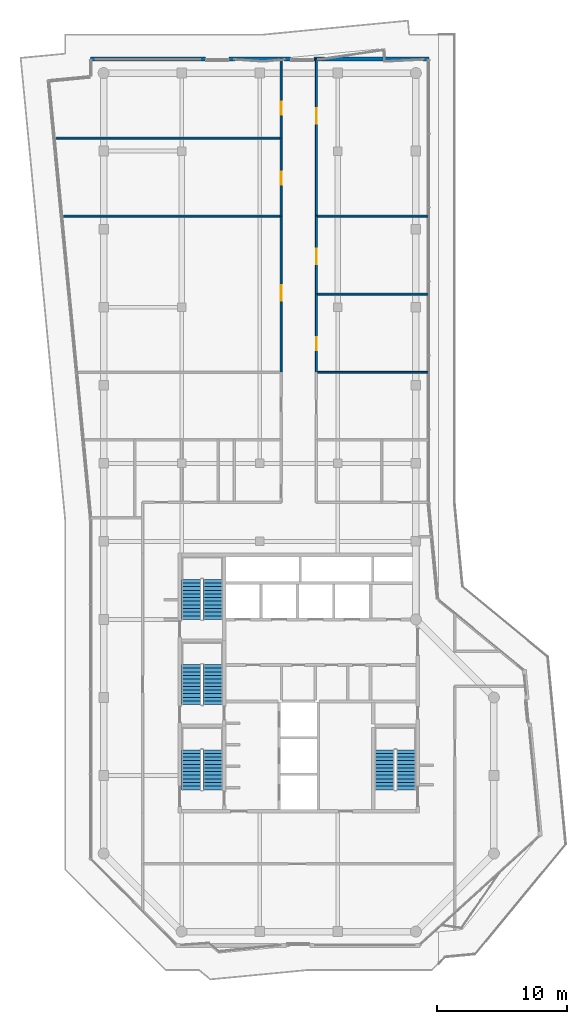
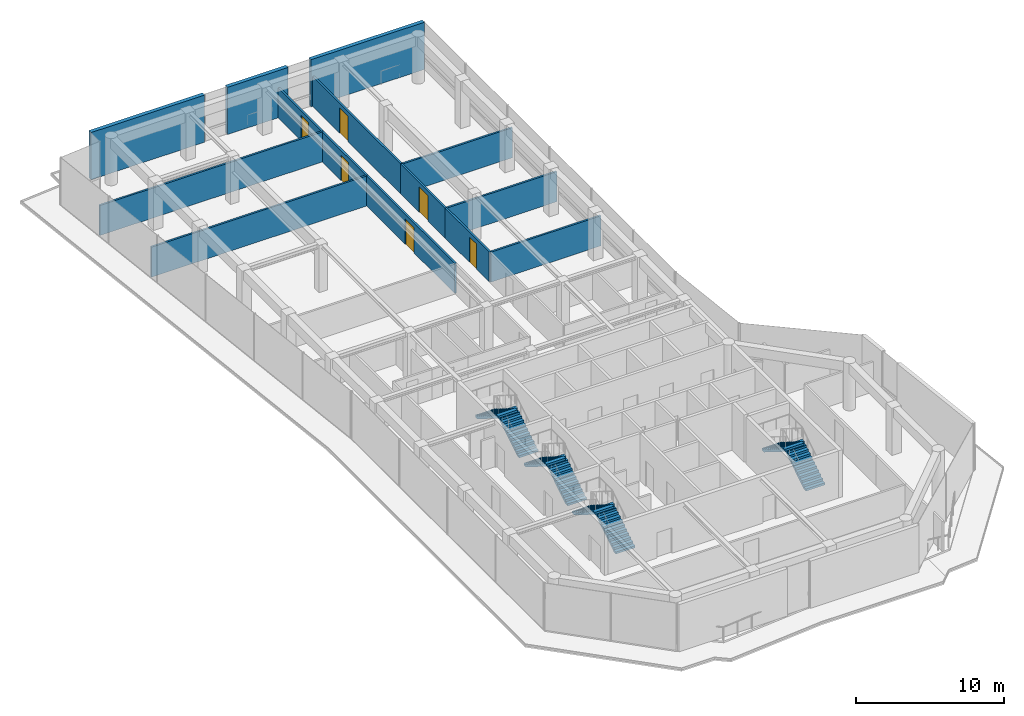
# One storey, part 20 of 22: 14 walls, 8 stair flights, 6 doors, 6 openings, 4 elements without a shape of their own.
"""IFC4 building model written with IfcOpenShell, lengths in metres."""

from ifc_helpers import new_model, si_unit, direction, frame, frame_2d, origin, place, context, subcontext, project, spatial, polyline, rectangle, outline, extrude, material, layer, layer_set, type_object, element, fill, aggregate, save


model = new_model("IFC4")

# Units and contexts
model_context = context("Model", 3, precision=1e-05, world=origin(), true_north=direction((0.0, 1.0)))
body_context = subcontext(model_context, "Body", "Model", "MODEL_VIEW")
ifc_project = project(units=[si_unit("LENGTHUNIT", "METRE"), si_unit("AREAUNIT", "SQUARE_METRE"), si_unit("VOLUMEUNIT", "CUBIC_METRE"), si_unit("PLANEANGLEUNIT", "RADIAN"), si_unit("MASSUNIT", "GRAM", prefix="KILO")], contexts=[model_context])

# Site, building, storey
site_placement = place(None, origin())
site = spatial("IfcSite", under=ifc_project, at=site_placement, CompositionType="ELEMENT")
building_placement = place(site_placement, origin())
building = spatial("IfcBuilding", under=site, at=building_placement, Name="Welwitschia Terrace Campus", CompositionType="ELEMENT")
storey_placement = place(building_placement, frame((0.0, 0.0, 310.39990234375)))
storey = spatial("IfcBuildingStorey", under=building, at=storey_placement, Name="L69", CompositionType="ELEMENT", Elevation=310.39990234375)

# Walls
ifc_material_1 = material(Name="Gypsum board on steel studs", Category="steel")
ifc_layer_1 = layer(ifc_material_1, 0.14990234375)
ifc_layer_set_1 = layer_set([ifc_layer_1], Name="Gypsum board on steel studs")
wall_type_1 = type_object("IfcWallType", Name="Corridor partition 150 EI 30", PredefinedType="PARTITIONING", material=ifc_layer_set_1)
wall_1_placement = place(storey_placement, frame((-3.800048828125, 57.0, 0.0), z_axis=(0.0, 0.0, 1.0), x_axis=(1.0, 0.0, 0.0)))
element("IfcWall", 1, at=wall_1_placement, inside=storey, type_object=wall_type_1, Name="Partition", PredefinedType="PARTITIONING", context=body_context, shape_type="SweptSolid", body=[
    extrude(rectangle(XDim=17.449951171875, YDim=0.14990234375, at=frame_2d((8.72509765625, 0.0))), origin(), (0.0, 0.0, 1.0), 2.47998046875),
])
wall_2_placement = place(storey_placement, frame((-3.22998046875, 51.0, 0.0), z_axis=(0.0, 0.0, 1.0), x_axis=(1.0, 0.0, 0.0)))
element("IfcWall", 2, at=wall_2_placement, inside=storey, type_object=wall_type_1, Name="Partition", PredefinedType="PARTITIONING", context=body_context, shape_type="SweptSolid", body=[
    extrude(rectangle(XDim=16.8798828125, YDim=0.14990234375, at=frame_2d((8.43994140625, 0.0))), origin(), (0.0, 0.0, 1.0), 2.47998046875),
])

# Wall, opening, door
wall_3_placement = place(storey_placement, frame((13.64990234375, 39.0, 0.0), z_axis=(0.0, 0.0, 1.0), x_axis=(0.0, 1.0, 0.0)))
wall_3 = element("IfcWall", 3, at=wall_3_placement, inside=storey, type_object=wall_type_1, Name="Partition", PredefinedType="PARTITIONING", context=body_context, shape_type="SweptSolid", body=[
    extrude(rectangle(XDim=12.0, YDim=0.14990234375, at=frame_2d((6.0, 0.0))), origin(), (0.0, 0.0, 1.0), 2.47998046875),
])
opening_1_placement = place(wall_3_placement, frame((5.5, 0.0, 0.0)))
opening_1 = element("IfcOpeningElement", 4, at=opening_1_placement, cuts=wall_3, Name="Opening DI12", PredefinedType="OPENING", context=body_context, shape_type="SweptSolid", body=[
    extrude(rectangle(XDim=1.199951171875, YDim=2.10009765625, at=frame_2d((0.60009765625, 1.050048828125))), frame((0.0, 0.0849609375, 0.0), z_axis=(0.0, -1.0, 0.0), x_axis=(1.0, 0.0, 0.0)), (0.0, 0.0, 1.0), 0.169921875),
])
ifc_material_2 = material(Name="Timber veneered door", Category="wood")
door_type_1 = type_object("IfcDoorType", Name="Interior door DI12", OperationType="NOTDEFINED", PredefinedType="DOOR", material=ifc_material_2)
door_1_placement = place(opening_1_placement, origin())
door_1 = element("IfcDoor", 5, at=door_1_placement, inside=storey, type_object=door_type_1, Name="Door L69 1219", OperationType="SINGLE_SWING_RIGHT", OverallHeight=2.10009765625, OverallWidth=1.199951171875, PredefinedType="DOOR", context=body_context, shape_type="SweptSolid", body=[
    extrude(rectangle(XDim=1.199951171875, YDim=2.10009765625, at=frame_2d((0.60009765625, 1.050048828125))), frame((0.0, 0.02490234375, 0.0), z_axis=(0.0, -1.0, 0.0), x_axis=(1.0, 0.0, 0.0)), (0.0, 0.0, 1.0), 0.050048828125),
])
fill(opening_1, door_1)

wall_4_placement = place(storey_placement, frame((13.64990234375, 51.0, 0.0), z_axis=(0.0, 0.0, 1.0), x_axis=(0.0, 1.0, 0.0)))
wall_4 = element("IfcWall", 6, at=wall_4_placement, inside=storey, type_object=wall_type_1, Name="Partition", PredefinedType="PARTITIONING", context=body_context, shape_type="SweptSolid", body=[
    extrude(rectangle(XDim=6.0, YDim=0.14990234375, at=frame_2d((3.0, 0.0))), origin(), (0.0, 0.0, 1.0), 2.47998046875),
])
opening_2_placement = place(wall_4_placement, frame((2.39990234375, 0.0, 0.0)))
opening_2 = element("IfcOpeningElement", 7, at=opening_2_placement, cuts=wall_4, Name="Opening DI10", PredefinedType="OPENING", context=body_context, shape_type="SweptSolid", body=[
    extrude(rectangle(XDim=1.0, YDim=2.10009765625, at=frame_2d((0.5, 1.050048828125))), frame((0.0, 0.0849609375, 0.0), z_axis=(0.0, -1.0, 0.0), x_axis=(1.0, 0.0, 0.0)), (0.0, 0.0, 1.0), 0.169921875),
])
ifc_material_3 = material(Name="Timber veneered door", Category="wood")
door_type_2 = type_object("IfcDoorType", Name="Interior door DI10", OperationType="NOTDEFINED", PredefinedType="DOOR", material=ifc_material_3)
door_2_placement = place(opening_2_placement, origin())
door_2 = element("IfcDoor", 8, at=door_2_placement, inside=storey, type_object=door_type_2, Name="Door L69 1220", OperationType="SINGLE_SWING_LEFT", OverallHeight=2.10009765625, OverallWidth=1.0, PredefinedType="DOOR", context=body_context, shape_type="SweptSolid", body=[
    extrude(rectangle(XDim=1.0, YDim=2.10009765625, at=frame_2d((0.5, 1.050048828125))), frame((0.0, 0.02490234375, 0.0), z_axis=(0.0, -1.0, 0.0), x_axis=(1.0, 0.0, 0.0)), (0.0, 0.0, 1.0), 0.050048828125),
])
fill(opening_2, door_2)

wall_5_placement = place(storey_placement, frame((13.64990234375, 57.0, 0.0), z_axis=(0.0, 0.0, 1.0), x_axis=(0.0, 1.0, 0.0)))
wall_5 = element("IfcWall", 9, at=wall_5_placement, inside=storey, type_object=wall_type_1, Name="Partition", PredefinedType="PARTITIONING", context=body_context, shape_type="SweptSolid", body=[
    extrude(rectangle(XDim=6.090087890625, YDim=0.14990234375, at=frame_2d((3.044921875, 0.0))), origin(), (0.0, 0.0, 1.0), 2.47998046875),
])
opening_3_placement = place(wall_5_placement, frame((1.780029296875, 0.0, 0.0)))
opening_3 = element("IfcOpeningElement", 10, at=opening_3_placement, cuts=wall_5, Name="Opening DI10", PredefinedType="OPENING", context=body_context, shape_type="SweptSolid", body=[
    extrude(rectangle(XDim=1.0, YDim=2.10009765625, at=frame_2d((0.5, 1.050048828125))), frame((0.0, 0.0849609375, 0.0), z_axis=(0.0, -1.0, 0.0), x_axis=(1.0, 0.0, 0.0)), (0.0, 0.0, 1.0), 0.169921875),
])
door_3_placement = place(opening_3_placement, origin())
door_3 = element("IfcDoor", 11, at=door_3_placement, inside=storey, type_object=door_type_2, Name="Door L69 1221", OperationType="SINGLE_SWING_RIGHT", OverallHeight=2.10009765625, OverallWidth=1.0, PredefinedType="DOOR", context=body_context, shape_type="SweptSolid", body=[
    extrude(rectangle(XDim=1.0, YDim=2.10009765625, at=frame_2d((0.5, 1.050048828125))), frame((0.0, 0.02490234375, 0.0), z_axis=(0.0, -1.0, 0.0), x_axis=(1.0, 0.0, 0.0)), (0.0, 0.0, 1.0), 0.050048828125),
])
fill(opening_3, door_3)

# Wall
wall_6_placement = place(storey_placement, frame((16.35009765625, 39.0, 0.0), z_axis=(0.0, 0.0, 1.0), x_axis=(1.0, 0.0, 0.0)))
element("IfcWall", 12, at=wall_6_placement, inside=storey, type_object=wall_type_1, Name="Partition", PredefinedType="PARTITIONING", context=body_context, shape_type="SweptSolid", body=[
    extrude(rectangle(XDim=8.6298828125, YDim=0.14990234375, at=frame_2d((4.31494140625, 0.0))), origin(), (0.0, 0.0, 1.0), 2.47998046875),
])

# Wall, opening, door
wall_7_placement = place(storey_placement, frame((16.35009765625, 45.0, 0.0), z_axis=(0.0, 0.0, 1.0), x_axis=(0.0, -1.0, 0.0)))
wall_7 = element("IfcWall", 13, at=wall_7_placement, inside=storey, type_object=wall_type_1, Name="Partition", PredefinedType="PARTITIONING", context=body_context, shape_type="SweptSolid", body=[
    extrude(rectangle(XDim=6.0, YDim=0.14990234375, at=frame_2d((3.0, 0.0))), origin(), (0.0, 0.0, 1.0), 2.47998046875),
])
opening_4_placement = place(wall_7_placement, frame((3.300048828125, 0.0, 0.0)))
opening_4 = element("IfcOpeningElement", 14, at=opening_4_placement, cuts=wall_7, Name="Opening DI10", PredefinedType="OPENING", context=body_context, shape_type="SweptSolid", body=[
    extrude(rectangle(XDim=1.0, YDim=2.10009765625, at=frame_2d((0.5, 1.050048828125))), frame((0.0, 0.0849609375, 0.0), z_axis=(0.0, -1.0, 0.0), x_axis=(1.0, 0.0, 0.0)), (0.0, 0.0, 1.0), 0.169921875),
])
door_4_placement = place(opening_4_placement, origin())
door_4 = element("IfcDoor", 15, at=door_4_placement, inside=storey, type_object=door_type_2, Name="Door L69 1223", OperationType="SINGLE_SWING_RIGHT", OverallHeight=2.10009765625, OverallWidth=1.0, PredefinedType="DOOR", context=body_context, shape_type="SweptSolid", body=[
    extrude(rectangle(XDim=1.0, YDim=2.10009765625, at=frame_2d((0.5, 1.050048828125))), frame((0.0, 0.02490234375, 0.0), z_axis=(0.0, -1.0, 0.0), x_axis=(1.0, 0.0, 0.0)), (0.0, 0.0, 1.0), 0.050048828125),
])
fill(opening_4, door_4)

# Wall
wall_8_placement = place(storey_placement, frame((16.35009765625, 45.0, 0.0), z_axis=(0.0, 0.0, 1.0), x_axis=(1.0, 0.0, 0.0)))
element("IfcWall", 16, at=wall_8_placement, inside=storey, type_object=wall_type_1, Name="Partition", PredefinedType="PARTITIONING", context=body_context, shape_type="SweptSolid", body=[
    extrude(rectangle(XDim=8.6298828125, YDim=0.14990234375, at=frame_2d((4.31494140625, 0.0))), origin(), (0.0, 0.0, 1.0), 2.47998046875),
])

# Wall, opening, door
wall_9_placement = place(storey_placement, frame((16.35009765625, 51.0, 0.0), z_axis=(0.0, 0.0, 1.0), x_axis=(0.0, -1.0, 0.0)))
wall_9 = element("IfcWall", 17, at=wall_9_placement, inside=storey, type_object=wall_type_1, Name="Partition", PredefinedType="PARTITIONING", context=body_context, shape_type="SweptSolid", body=[
    extrude(rectangle(XDim=6.0, YDim=0.14990234375, at=frame_2d((3.0, 0.0))), origin(), (0.0, 0.0, 1.0), 2.47998046875),
])
opening_5_placement = place(wall_9_placement, frame((2.5, 0.0, 0.0)))
opening_5 = element("IfcOpeningElement", 18, at=opening_5_placement, cuts=wall_9, Name="Opening DI12", PredefinedType="OPENING", context=body_context, shape_type="SweptSolid", body=[
    extrude(rectangle(XDim=1.199951171875, YDim=2.10009765625, at=frame_2d((0.60009765625, 1.050048828125))), frame((0.0, 0.0849609375, 0.0), z_axis=(0.0, -1.0, 0.0), x_axis=(1.0, 0.0, 0.0)), (0.0, 0.0, 1.0), 0.169921875),
])
door_5_placement = place(opening_5_placement, origin())
door_5 = element("IfcDoor", 19, at=door_5_placement, inside=storey, type_object=door_type_1, Name="Door L69 1224", OperationType="SINGLE_SWING_LEFT", OverallHeight=2.10009765625, OverallWidth=1.199951171875, PredefinedType="DOOR", context=body_context, shape_type="SweptSolid", body=[
    extrude(rectangle(XDim=1.199951171875, YDim=2.10009765625, at=frame_2d((0.60009765625, 1.050048828125))), frame((0.0, 0.02490234375, 0.0), z_axis=(0.0, -1.0, 0.0), x_axis=(1.0, 0.0, 0.0)), (0.0, 0.0, 1.0), 0.050048828125),
])
fill(opening_5, door_5)

# Wall
wall_10_placement = place(storey_placement, frame((16.35009765625, 51.0, 0.0), z_axis=(0.0, 0.0, 1.0), x_axis=(1.0, 0.0, 0.0)))
element("IfcWall", 20, at=wall_10_placement, inside=storey, type_object=wall_type_1, Name="Partition", PredefinedType="PARTITIONING", context=body_context, shape_type="SweptSolid", body=[
    extrude(rectangle(XDim=8.6298828125, YDim=0.14990234375, at=frame_2d((4.31494140625, 0.0))), origin(), (0.0, 0.0, 1.0), 2.47998046875),
])

# Wall, opening, door
wall_11_placement = place(storey_placement, frame((16.35009765625, 63.090087890625, 0.0), z_axis=(0.0, 0.0, 1.0), x_axis=(0.0, -1.0, 0.0)))
wall_11 = element("IfcWall", 21, at=wall_11_placement, inside=storey, type_object=wall_type_1, Name="Partition", PredefinedType="PARTITIONING", context=body_context, shape_type="SweptSolid", body=[
    extrude(rectangle(XDim=12.090087890625, YDim=0.14990234375, at=frame_2d((6.044921875, 0.0))), origin(), (0.0, 0.0, 1.0), 2.47998046875),
])
opening_6_placement = place(wall_11_placement, frame((3.7900390625, 0.0, 0.0)))
opening_6 = element("IfcOpeningElement", 22, at=opening_6_placement, cuts=wall_11, Name="Opening DI12", PredefinedType="OPENING", context=body_context, shape_type="SweptSolid", body=[
    extrude(rectangle(XDim=1.199951171875, YDim=2.10009765625, at=frame_2d((0.60009765625, 1.050048828125))), frame((0.0, 0.0849609375, 0.0), z_axis=(0.0, -1.0, 0.0), x_axis=(1.0, 0.0, 0.0)), (0.0, 0.0, 1.0), 0.169921875),
])
door_6_placement = place(opening_6_placement, origin())
door_6 = element("IfcDoor", 23, at=door_6_placement, inside=storey, type_object=door_type_1, Name="Door L69 1225", OperationType="SINGLE_SWING_RIGHT", OverallHeight=2.10009765625, OverallWidth=1.199951171875, PredefinedType="DOOR", context=body_context, shape_type="SweptSolid", body=[
    extrude(rectangle(XDim=1.199951171875, YDim=2.10009765625, at=frame_2d((0.60009765625, 1.050048828125))), frame((0.0, 0.02490234375, 0.0), z_axis=(0.0, -1.0, 0.0), x_axis=(1.0, 0.0, 0.0)), (0.0, 0.0, 1.0), 0.050048828125),
])
fill(opening_6, door_6)

# Walls
ifc_material_4 = material(Name="Concrete C40/50", Category="concrete")
ifc_layer_2 = layer(ifc_material_4, 0.300048828125)
ifc_layer_set_2 = layer_set([ifc_layer_2], Name="Concrete C40/50")
wall_type_2 = type_object("IfcWallType", Name="Mass wall 300", PredefinedType="SOLIDWALL", material=ifc_layer_set_2)
wall_12_placement = place(storey_placement, frame((25.030029296875, 63.078125, 0.0), z_axis=(0.0, 0.0, 1.0), x_axis=(-1.0, 0.0, 0.0)))
element("IfcWall", 24, at=wall_12_placement, inside=storey, type_object=wall_type_2, Name="Mass wall L69.8.0", PredefinedType="SOLIDWALL", context=body_context, shape_type="SweptSolid", body=[
    extrude(rectangle(XDim=8.87255859375, YDim=0.300048828125, at=frame_2d((4.436279296875, 0.0))), origin(), (0.0, 0.0, 1.0), 3.900146484375),
])
wall_13_placement = place(storey_placement, frame((14.357421875, 63.080078125, 0.0), z_axis=(0.0, 0.0, 1.0), x_axis=(-1.0, 0.0, 0.0)))
element("IfcWall", 25, at=wall_13_placement, inside=storey, type_object=wall_type_2, Name="Mass wall L69.8.1", PredefinedType="SOLIDWALL", context=body_context, shape_type="SweptSolid", body=[
    extrude(rectangle(XDim=4.71484375, YDim=0.300048828125, at=frame_2d((2.357421875, 0.0))), origin(), (0.0, 0.0, 1.0), 3.900146484375),
])
wall_14_placement = place(storey_placement, frame((7.842529296875, 63.078125, 0.0), z_axis=(0.0, 0.0, 1.0), x_axis=(-1.0, 0.0, 0.0)))
element("IfcWall", 26, at=wall_14_placement, inside=storey, type_object=wall_type_2, Name="Mass wall L69.8.2", PredefinedType="SOLIDWALL", context=body_context, shape_type="SweptSolid", body=[
    extrude(rectangle(XDim=8.87255859375, YDim=0.300048828125, at=frame_2d((4.436279296875, 0.0))), origin(), (0.0, 0.0, 1.0), 3.900146484375),
])

# Stair, stair flights
ifc_material_5 = material(Name="Concrete C40/50", Category="concrete")
stair_type = type_object("IfcStairType", Name="Stair 24R 175 W1500", PredefinedType="HALF_TURN_STAIR", material=ifc_material_5)
stair_1_placement = place(storey_placement, origin())
stair_1 = element("IfcStair", 27, at=stair_1_placement, inside=storey, type_object=stair_type, Name="L69 Exit stair S1", PredefinedType="HALF_TURN_STAIR")
ifc_material_6 = material(Name="Concrete C40/50", Category="concrete")
stair_flight_type = type_object("IfcStairFlightType", Name="Stair flight 24R 175 W1500", PredefinedType="STRAIGHT", material=ifc_material_6)
stair_flight_1_placement = place(storey_placement, frame((8.39990234375, 6.89990234375, 0.0), z_axis=(0.0, 0.0, 1.0), x_axis=(0.0, 1.0, 0.0)))
stair_flight_1 = element("IfcStairFlight", 28, at=stair_flight_1_placement, type_object=stair_flight_type, Name="S1 flight 1", NumberOfRisers=12, NumberOfTreads=11, PredefinedType="STRAIGHT", RiserHeight=0.175, TreadLength=0.28, context=body_context, shape_type="SweptSolid", body=[
    extrude(outline(polyline([(0.0, 0.0), (0.0, 0.175048828125), (0.280029296875, 0.175048828125), (0.280029296875, 0.35009765625), (0.56005859375, 0.35009765625), (0.56005859375, 0.52490234375), (0.840087890625, 0.52490234375), (0.840087890625, 0.699951171875), (1.1201171875, 0.699951171875), (1.1201171875, 0.875), (1.39990234375, 0.875), (1.39990234375, 1.050048828125), (1.679931640625, 1.050048828125), (1.679931640625, 1.22509765625), (1.9599609375, 1.22509765625), (1.9599609375, 1.39990234375), (2.239990234375, 1.39990234375), (2.239990234375, 1.574951171875), (2.52001953125, 1.574951171875), (2.52001953125, 1.75), (2.800048828125, 1.75), (2.800048828125, 1.925048828125), (3.080078125, 1.925048828125), (3.080078125, 2.10009765625), (3.080078125, 1.748291015625), (0.28271484375, 0.0), (0.0, 0.0)])), frame((0.0, 0.75, 0.0), z_axis=(0.0, -1.0, 0.0), x_axis=(1.0, 0.0, 0.0)), (0.0, 0.0, 1.0), 1.5),
])
stair_flight_2_placement = place(storey_placement, frame((6.75, 9.97998046875, 2.10009765625), z_axis=(0.0, 0.0, 1.0), x_axis=(0.0, -1.0, 0.0)))
stair_flight_2 = element("IfcStairFlight", 29, at=stair_flight_2_placement, type_object=stair_flight_type, Name="S1 flight 2", NumberOfRisers=12, NumberOfTreads=11, PredefinedType="STRAIGHT", RiserHeight=0.175, TreadLength=0.28, context=body_context, shape_type="SweptSolid", body=[
    extrude(outline(polyline([(0.0, 0.0), (0.0, 0.175048828125), (0.280029296875, 0.175048828125), (0.280029296875, 0.35009765625), (0.56005859375, 0.35009765625), (0.56005859375, 0.52490234375), (0.840087890625, 0.52490234375), (0.840087890625, 0.699951171875), (1.1201171875, 0.699951171875), (1.1201171875, 0.875), (1.39990234375, 0.875), (1.39990234375, 1.050048828125), (1.679931640625, 1.050048828125), (1.679931640625, 1.22509765625), (1.9599609375, 1.22509765625), (1.9599609375, 1.39990234375), (2.239990234375, 1.39990234375), (2.239990234375, 1.574951171875), (2.52001953125, 1.574951171875), (2.52001953125, 1.75), (2.800048828125, 1.75), (2.800048828125, 1.925048828125), (3.080078125, 1.925048828125), (3.080078125, 2.10009765625), (3.080078125, 1.748291015625), (0.28271484375, 0.0), (0.0, 0.0)])), frame((0.0, 0.75, 0.0), z_axis=(0.0, -1.0, 0.0), x_axis=(1.0, 0.0, 0.0)), (0.0, 0.0, 1.0), 1.5),
])
aggregate(stair_1, [stair_flight_1, stair_flight_2])

stair_2_placement = place(storey_placement, origin())
stair_2 = element("IfcStair", 30, at=stair_2_placement, inside=storey, type_object=stair_type, Name="L69 Exit stair S3", PredefinedType="HALF_TURN_STAIR")
stair_flight_3_placement = place(storey_placement, frame((8.39990234375, 13.449951171875, 0.0), z_axis=(0.0, 0.0, 1.0), x_axis=(0.0, 1.0, 0.0)))
stair_flight_3 = element("IfcStairFlight", 31, at=stair_flight_3_placement, type_object=stair_flight_type, Name="S3 flight 1", NumberOfRisers=12, NumberOfTreads=11, PredefinedType="STRAIGHT", RiserHeight=0.175, TreadLength=0.28, context=body_context, shape_type="SweptSolid", body=[
    extrude(outline(polyline([(0.0, 0.0), (0.0, 0.175048828125), (0.280029296875, 0.175048828125), (0.280029296875, 0.35009765625), (0.56005859375, 0.35009765625), (0.56005859375, 0.52490234375), (0.840087890625, 0.52490234375), (0.840087890625, 0.699951171875), (1.1201171875, 0.699951171875), (1.1201171875, 0.875), (1.39990234375, 0.875), (1.39990234375, 1.050048828125), (1.679931640625, 1.050048828125), (1.679931640625, 1.22509765625), (1.9599609375, 1.22509765625), (1.9599609375, 1.39990234375), (2.239990234375, 1.39990234375), (2.239990234375, 1.574951171875), (2.52001953125, 1.574951171875), (2.52001953125, 1.75), (2.800048828125, 1.75), (2.800048828125, 1.925048828125), (3.080078125, 1.925048828125), (3.080078125, 2.10009765625), (3.080078125, 1.748291015625), (0.28271484375, 0.0), (0.0, 0.0)])), frame((0.0, 0.75, 0.0), z_axis=(0.0, -1.0, 0.0), x_axis=(1.0, 0.0, 0.0)), (0.0, 0.0, 1.0), 1.5),
])
stair_flight_4_placement = place(storey_placement, frame((6.75, 16.530029296875, 2.10009765625), z_axis=(0.0, 0.0, 1.0), x_axis=(0.0, -1.0, 0.0)))
stair_flight_4 = element("IfcStairFlight", 32, at=stair_flight_4_placement, type_object=stair_flight_type, Name="S3 flight 2", NumberOfRisers=12, NumberOfTreads=11, PredefinedType="STRAIGHT", RiserHeight=0.175, TreadLength=0.28, context=body_context, shape_type="SweptSolid", body=[
    extrude(outline(polyline([(0.0, 0.0), (0.0, 0.175048828125), (0.280029296875, 0.175048828125), (0.280029296875, 0.35009765625), (0.56005859375, 0.35009765625), (0.56005859375, 0.52490234375), (0.840087890625, 0.52490234375), (0.840087890625, 0.699951171875), (1.1201171875, 0.699951171875), (1.1201171875, 0.875), (1.39990234375, 0.875), (1.39990234375, 1.050048828125), (1.679931640625, 1.050048828125), (1.679931640625, 1.22509765625), (1.9599609375, 1.22509765625), (1.9599609375, 1.39990234375), (2.239990234375, 1.39990234375), (2.239990234375, 1.574951171875), (2.52001953125, 1.574951171875), (2.52001953125, 1.75), (2.800048828125, 1.75), (2.800048828125, 1.925048828125), (3.080078125, 1.925048828125), (3.080078125, 2.10009765625), (3.080078125, 1.748291015625), (0.28271484375, 0.0), (0.0, 0.0)])), frame((0.0, 0.75, 0.0), z_axis=(0.0, -1.0, 0.0), x_axis=(1.0, 0.0, 0.0)), (0.0, 0.0, 1.0), 1.5),
])
aggregate(stair_2, [stair_flight_3, stair_flight_4])

stair_3_placement = place(storey_placement, origin())
stair_3 = element("IfcStair", 33, at=stair_3_placement, inside=storey, type_object=stair_type, Name="L69 Exit stair S4", PredefinedType="HALF_TURN_STAIR")
stair_flight_5_placement = place(storey_placement, frame((8.39990234375, 20.0, 0.0), z_axis=(0.0, 0.0, 1.0), x_axis=(0.0, 1.0, 0.0)))
stair_flight_5 = element("IfcStairFlight", 34, at=stair_flight_5_placement, type_object=stair_flight_type, Name="S4 flight 1", NumberOfRisers=12, NumberOfTreads=11, PredefinedType="STRAIGHT", RiserHeight=0.175, TreadLength=0.28, context=body_context, shape_type="SweptSolid", body=[
    extrude(outline(polyline([(0.0, 0.0), (0.0, 0.175048828125), (0.280029296875, 0.175048828125), (0.280029296875, 0.35009765625), (0.56005859375, 0.35009765625), (0.56005859375, 0.52490234375), (0.840087890625, 0.52490234375), (0.840087890625, 0.699951171875), (1.1201171875, 0.699951171875), (1.1201171875, 0.875), (1.39990234375, 0.875), (1.39990234375, 1.050048828125), (1.679931640625, 1.050048828125), (1.679931640625, 1.22509765625), (1.9599609375, 1.22509765625), (1.9599609375, 1.39990234375), (2.239990234375, 1.39990234375), (2.239990234375, 1.574951171875), (2.52001953125, 1.574951171875), (2.52001953125, 1.75), (2.800048828125, 1.75), (2.800048828125, 1.925048828125), (3.080078125, 1.925048828125), (3.080078125, 2.10009765625), (3.080078125, 1.748291015625), (0.28271484375, 0.0), (0.0, 0.0)])), frame((0.0, 0.75, 0.0), z_axis=(0.0, -1.0, 0.0), x_axis=(1.0, 0.0, 0.0)), (0.0, 0.0, 1.0), 1.5),
])
stair_flight_6_placement = place(storey_placement, frame((6.75, 23.080078125, 2.10009765625), z_axis=(0.0, 0.0, 1.0), x_axis=(0.0, -1.0, 0.0)))
stair_flight_6 = element("IfcStairFlight", 35, at=stair_flight_6_placement, type_object=stair_flight_type, Name="S4 flight 2", NumberOfRisers=12, NumberOfTreads=11, PredefinedType="STRAIGHT", RiserHeight=0.175, TreadLength=0.28, context=body_context, shape_type="SweptSolid", body=[
    extrude(outline(polyline([(0.0, 0.0), (0.0, 0.175048828125), (0.280029296875, 0.175048828125), (0.280029296875, 0.35009765625), (0.56005859375, 0.35009765625), (0.56005859375, 0.52490234375), (0.840087890625, 0.52490234375), (0.840087890625, 0.699951171875), (1.1201171875, 0.699951171875), (1.1201171875, 0.875), (1.39990234375, 0.875), (1.39990234375, 1.050048828125), (1.679931640625, 1.050048828125), (1.679931640625, 1.22509765625), (1.9599609375, 1.22509765625), (1.9599609375, 1.39990234375), (2.239990234375, 1.39990234375), (2.239990234375, 1.574951171875), (2.52001953125, 1.574951171875), (2.52001953125, 1.75), (2.800048828125, 1.75), (2.800048828125, 1.925048828125), (3.080078125, 1.925048828125), (3.080078125, 2.10009765625), (3.080078125, 1.748291015625), (0.28271484375, 0.0), (0.0, 0.0)])), frame((0.0, 0.75, 0.0), z_axis=(0.0, -1.0, 0.0), x_axis=(1.0, 0.0, 0.0)), (0.0, 0.0, 1.0), 1.5),
])
aggregate(stair_3, [stair_flight_5, stair_flight_6])

stair_4_placement = place(storey_placement, origin())
stair_4 = element("IfcStair", 36, at=stair_4_placement, inside=storey, type_object=stair_type, Name="L69 Exit stair S2", PredefinedType="HALF_TURN_STAIR")
stair_flight_7_placement = place(storey_placement, frame((23.25, 6.89990234375, 0.0), z_axis=(0.0, 0.0, 1.0), x_axis=(0.0, 1.0, 0.0)))
stair_flight_7 = element("IfcStairFlight", 37, at=stair_flight_7_placement, type_object=stair_flight_type, Name="S2 flight 1", NumberOfRisers=12, NumberOfTreads=11, PredefinedType="STRAIGHT", RiserHeight=0.175, TreadLength=0.28, context=body_context, shape_type="SweptSolid", body=[
    extrude(outline(polyline([(0.0, 0.0), (0.0, 0.175048828125), (0.280029296875, 0.175048828125), (0.280029296875, 0.35009765625), (0.56005859375, 0.35009765625), (0.56005859375, 0.52490234375), (0.840087890625, 0.52490234375), (0.840087890625, 0.699951171875), (1.1201171875, 0.699951171875), (1.1201171875, 0.875), (1.39990234375, 0.875), (1.39990234375, 1.050048828125), (1.679931640625, 1.050048828125), (1.679931640625, 1.22509765625), (1.9599609375, 1.22509765625), (1.9599609375, 1.39990234375), (2.239990234375, 1.39990234375), (2.239990234375, 1.574951171875), (2.52001953125, 1.574951171875), (2.52001953125, 1.75), (2.800048828125, 1.75), (2.800048828125, 1.925048828125), (3.080078125, 1.925048828125), (3.080078125, 2.10009765625), (3.080078125, 1.748291015625), (0.28271484375, 0.0), (0.0, 0.0)])), frame((0.0, 0.75, 0.0), z_axis=(0.0, -1.0, 0.0), x_axis=(1.0, 0.0, 0.0)), (0.0, 0.0, 1.0), 1.5),
])
stair_flight_8_placement = place(storey_placement, frame((21.60009765625, 9.97998046875, 2.10009765625), z_axis=(0.0, 0.0, 1.0), x_axis=(0.0, -1.0, 0.0)))
stair_flight_8 = element("IfcStairFlight", 38, at=stair_flight_8_placement, type_object=stair_flight_type, Name="S2 flight 2", NumberOfRisers=12, NumberOfTreads=11, PredefinedType="STRAIGHT", RiserHeight=0.175, TreadLength=0.28, context=body_context, shape_type="SweptSolid", body=[
    extrude(outline(polyline([(0.0, 0.0), (0.0, 0.175048828125), (0.280029296875, 0.175048828125), (0.280029296875, 0.35009765625), (0.56005859375, 0.35009765625), (0.56005859375, 0.52490234375), (0.840087890625, 0.52490234375), (0.840087890625, 0.699951171875), (1.1201171875, 0.699951171875), (1.1201171875, 0.875), (1.39990234375, 0.875), (1.39990234375, 1.050048828125), (1.679931640625, 1.050048828125), (1.679931640625, 1.22509765625), (1.9599609375, 1.22509765625), (1.9599609375, 1.39990234375), (2.239990234375, 1.39990234375), (2.239990234375, 1.574951171875), (2.52001953125, 1.574951171875), (2.52001953125, 1.75), (2.800048828125, 1.75), (2.800048828125, 1.925048828125), (3.080078125, 1.925048828125), (3.080078125, 2.10009765625), (3.080078125, 1.748291015625), (0.28271484375, 0.0), (0.0, 0.0)])), frame((0.0, 0.75, 0.0), z_axis=(0.0, -1.0, 0.0), x_axis=(1.0, 0.0, 0.0)), (0.0, 0.0, 1.0), 1.5),
])
aggregate(stair_4, [stair_flight_7, stair_flight_8])

save(model, "model.ifc")
